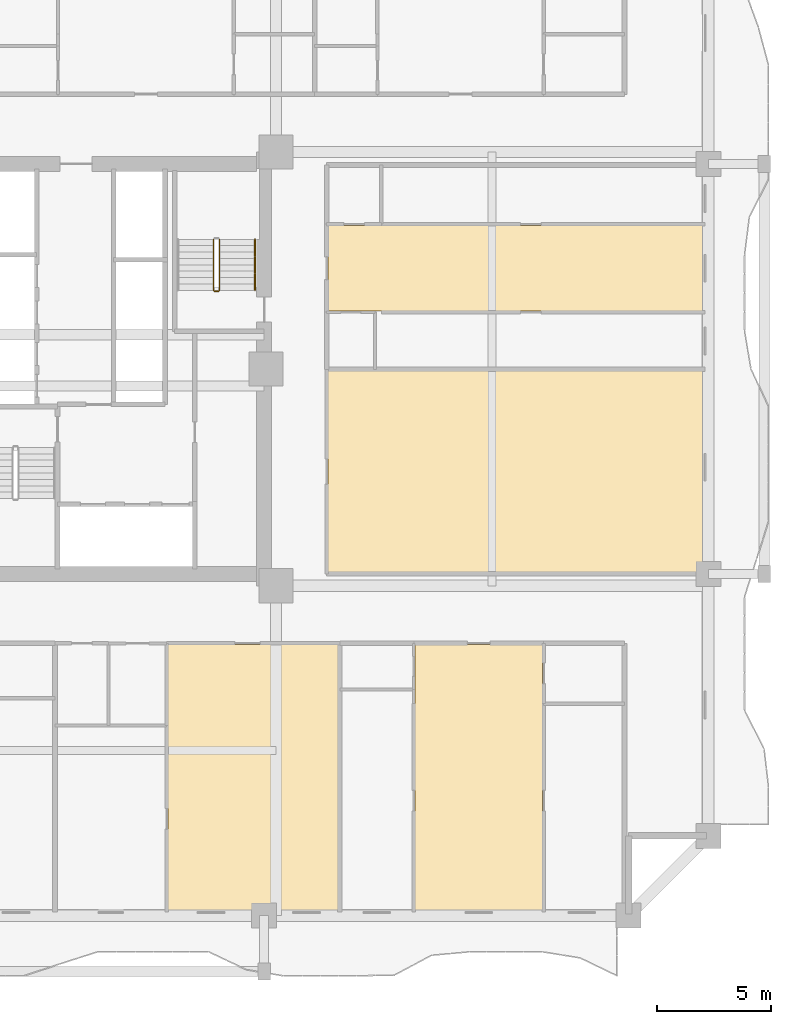
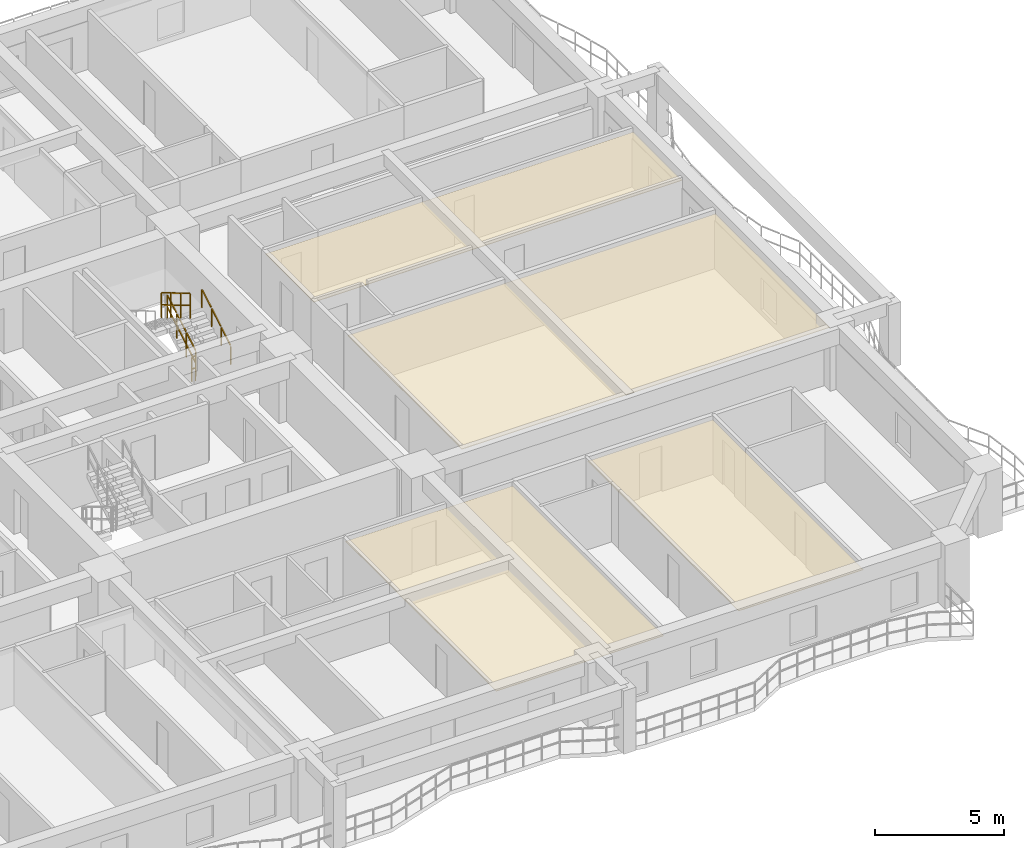
# One storey, part 13 of 15: 4 coverings, 4 railings.
"""IFC4 building model written with IfcOpenShell, lengths in metres."""

from ifc_helpers import new_model, si_unit, direction, frame, origin, origin_2d, place, context, subcontext, project, spatial, polyline, rectangle, outline, extrude, material, layer, layer_set, type_object, element, save


model = new_model("IFC4")

# Units and contexts
model_context = context("Model", 3, precision=1e-05, world=origin(), true_north=direction((0.0, 1.0)))
body_context = subcontext(model_context, "Body", "Model", "MODEL_VIEW")
ifc_project = project(units=[si_unit("LENGTHUNIT", "METRE"), si_unit("AREAUNIT", "SQUARE_METRE"), si_unit("VOLUMEUNIT", "CUBIC_METRE"), si_unit("PLANEANGLEUNIT", "RADIAN"), si_unit("MASSUNIT", "GRAM", prefix="KILO")], contexts=[model_context])

# Site, building, storey
site_placement = place(None, origin())
site = spatial("IfcSite", under=ifc_project, at=site_placement, CompositionType="ELEMENT")
building_placement = place(site_placement, origin())
building = spatial("IfcBuilding", under=site, at=building_placement, Name="Saelheon Loggia Tower", CompositionType="ELEMENT")
storey_placement = place(building_placement, frame((0.0, 0.0, 46.39990234375)))
storey = spatial("IfcBuildingStorey", under=building, at=storey_placement, Name="L14", CompositionType="ELEMENT", Elevation=46.39990234375)

# Coverings
ifc_material_1 = material(Name="Mineral-Fibre Acoustic Ceiling Board", Category="gypsum")
ifc_layer = layer(ifc_material_1, 0.02490234375)
ifc_layer_set = layer_set([ifc_layer], Name="Mineral-Fibre Acoustic Ceiling Board")
covering_type = type_object("IfcCoveringType", Name="Cov_Ceiling_Acoustic", PredefinedType="CEILING", material=ifc_layer_set)
covering_1_placement = place(storey_placement, frame((0.0, 0.0, 2.53515625)))
element("IfcCovering", 1, at=covering_1_placement, inside=storey, type_object=covering_type, Name="L14 Acoustic Suspended Ceiling", PredefinedType="CEILING", context=body_context, shape_type="SweptSolid", body=[
    extrude(outline(polyline([(40.271484375, 3.199951171875), (47.770751953125, 3.199951171875), (47.770751953125, 14.89990234375), (40.271484375, 14.89990234375), (40.271484375, 3.199951171875)])), origin(), (0.0, 0.0, 1.0), 0.02490234375),
])
covering_2_placement = place(storey_placement, frame((0.0, 0.0, 2.53515625)))
element("IfcCovering", 2, at=covering_2_placement, inside=storey, type_object=covering_type, Name="L14 Acoustic Suspended Ceiling", PredefinedType="CEILING", context=body_context, shape_type="SweptSolid", body=[
    extrude(outline(polyline([(51.12060546875, 3.199951171875), (56.721923828125, 3.199951171875), (56.721923828125, 14.89990234375), (51.12060546875, 14.89990234375), (51.12060546875, 3.199951171875)])), origin(), (0.0, 0.0, 1.0), 0.02490234375),
])
covering_3_placement = place(storey_placement, frame((0.0, 0.0, 2.53515625)))
element("IfcCovering", 3, at=covering_3_placement, inside=storey, type_object=covering_type, Name="L14 Acoustic Suspended Ceiling", PredefinedType="CEILING", context=body_context, shape_type="SweptSolid", body=[
    extrude(outline(polyline([(47.300048828125, 18.050048828125), (63.800048828125, 18.050048828125), (63.800048828125, 26.925048828125), (47.300048828125, 26.925048828125), (47.300048828125, 18.050048828125)])), origin(), (0.0, 0.0, 1.0), 0.02490234375),
])
covering_4_placement = place(storey_placement, frame((0.0, 0.0, 2.53515625)))
element("IfcCovering", 4, at=covering_4_placement, inside=storey, type_object=covering_type, Name="L14 Acoustic Suspended Ceiling", PredefinedType="CEILING", context=body_context, shape_type="SweptSolid", body=[
    extrude(outline(polyline([(47.300048828125, 29.5380859375), (63.800048828125, 29.5380859375), (63.800048828125, 33.300048828125), (47.300048828125, 33.300048828125), (47.300048828125, 29.5380859375)])), origin(), (0.0, 0.0, 1.0), 0.02490234375),
])

# Railings
ifc_material_2 = material(Name="Galvanised Steel S275 Stairwell Guardrail", Category="steel")
railing_type_1 = type_object("IfcRailingType", Name="Guard_StairWell_RL_STG", PredefinedType="GUARDRAIL", material=ifc_material_2)
railing_1_placement = place(storey_placement, frame((42.5400390625, 30.449951171875, 0.166748046875)))
element("IfcRailing", 5, at=railing_1_placement, inside=storey, type_object=railing_type_1, Name="L14 ST2 stair guard 1", PredefinedType="GUARDRAIL", context=body_context, shape_type="SweptSolid", body=[
    extrude(rectangle(XDim=0.048095703125, YDim=0.048095703125, at=origin_2d()), frame((0.0, 0.028564453125, 1.19287109375), z_axis=(0.0, 0.859305625298, 0.511462454469), x_axis=(-1.0, 0.0, 0.0)), (0.0, 0.0, 1.0), 0.802490234375),
    extrude(rectangle(XDim=0.048095703125, YDim=0.048095703125, at=origin_2d()), frame((0.0, 0.028564453125, 0.616943359375), z_axis=(0.0, 0.859305625298, 0.511462454469), x_axis=(-1.0, 0.0, 0.0)), (0.0, 0.0, 1.0), 0.802490234375),
    extrude(rectangle(XDim=0.048095703125, YDim=0.048095703125, at=origin_2d()), frame((0.0, 0.775146484375, 1.63720703125), z_axis=(0.0, 0.859305625298, 0.511462454469), x_axis=(-1.0, 0.0, 0.0)), (0.0, 0.0, 1.0), 0.802490234375),
    extrude(rectangle(XDim=0.048095703125, YDim=0.048095703125, at=origin_2d()), frame((0.0, 0.775146484375, 1.061279296875), z_axis=(0.0, 0.859305625298, 0.511462454469), x_axis=(-1.0, 0.0, 0.0)), (0.0, 0.0, 1.0), 0.802490234375),
    extrude(rectangle(XDim=0.048095703125, YDim=0.048095703125, at=origin_2d()), frame((0.0, 1.52197265625, 2.081787109375), z_axis=(0.0, 0.859305625298, 0.511462454469), x_axis=(-1.0, 0.0, 0.0)), (0.0, 0.0, 1.0), 0.802490234375),
    extrude(rectangle(XDim=0.048095703125, YDim=0.048095703125, at=origin_2d()), frame((0.0, 1.52197265625, 1.505859375), z_axis=(0.0, 0.859305625298, 0.511462454469), x_axis=(-1.0, 0.0, 0.0)), (0.0, 0.0, 1.0), 0.802490234375),
    extrude(rectangle(XDim=0.0419921875, YDim=0.0419921875, at=origin_2d()), origin(), (0.0, 0.0, 1.0), 1.14794921875),
    extrude(rectangle(XDim=0.0419921875, YDim=0.0419921875, at=origin_2d()), frame((0.0, 0.74658203125, 0.4443359375)), (0.0, 0.0, 1.0), 1.14794921875),
    extrude(rectangle(XDim=0.0419921875, YDim=0.0419921875, at=origin_2d()), frame((0.0, 1.493408203125, 0.888916015625)), (0.0, 0.0, 1.0), 1.14794921875),
    extrude(rectangle(XDim=0.0419921875, YDim=0.0419921875, at=origin_2d()), frame((0.0, 2.239990234375, 1.333251953125)), (0.0, 0.0, 1.0), 1.14794921875),
])
railing_2_placement = place(storey_placement, frame((42.280029296875, 32.68994140625, 1.666748046875)))
element("IfcRailing", 6, at=railing_2_placement, inside=storey, type_object=railing_type_1, Name="L14 ST2 stair guard 3", PredefinedType="GUARDRAIL", context=body_context, shape_type="SweptSolid", body=[
    extrude(rectangle(XDim=0.048095703125, YDim=0.048095703125, at=origin_2d()), frame((0.0, -0.028564453125, 1.19287109375), z_axis=(0.0, -0.859305625298, 0.511462454469), x_axis=(1.0, 0.0, 0.0)), (0.0, 0.0, 1.0), 0.802490234375),
    extrude(rectangle(XDim=0.048095703125, YDim=0.048095703125, at=origin_2d()), frame((0.0, -0.028564453125, 0.616943359375), z_axis=(0.0, -0.859305625298, 0.511462454469), x_axis=(1.0, 0.0, 0.0)), (0.0, 0.0, 1.0), 0.802490234375),
    extrude(rectangle(XDim=0.048095703125, YDim=0.048095703125, at=origin_2d()), frame((0.0, -0.775146484375, 1.63720703125), z_axis=(0.0, -0.859305625298, 0.511462454469), x_axis=(1.0, 0.0, 0.0)), (0.0, 0.0, 1.0), 0.802490234375),
    extrude(rectangle(XDim=0.048095703125, YDim=0.048095703125, at=origin_2d()), frame((0.0, -0.775146484375, 1.061279296875), z_axis=(0.0, -0.859305625298, 0.511462454469), x_axis=(1.0, 0.0, 0.0)), (0.0, 0.0, 1.0), 0.802490234375),
    extrude(rectangle(XDim=0.048095703125, YDim=0.048095703125, at=origin_2d()), frame((0.0, -1.52197265625, 2.081787109375), z_axis=(0.0, -0.859305625298, 0.511462454469), x_axis=(1.0, 0.0, 0.0)), (0.0, 0.0, 1.0), 0.802490234375),
    extrude(rectangle(XDim=0.048095703125, YDim=0.048095703125, at=origin_2d()), frame((0.0, -1.52197265625, 1.505859375), z_axis=(0.0, -0.859305625298, 0.511462454469), x_axis=(1.0, 0.0, 0.0)), (0.0, 0.0, 1.0), 0.802490234375),
    extrude(rectangle(XDim=0.0419921875, YDim=0.0419921875, at=origin_2d()), origin(), (0.0, 0.0, 1.0), 1.14794921875),
    extrude(rectangle(XDim=0.0419921875, YDim=0.0419921875, at=origin_2d()), frame((0.0, -0.74658203125, 0.4443359375)), (0.0, 0.0, 1.0), 1.14794921875),
    extrude(rectangle(XDim=0.0419921875, YDim=0.0419921875, at=origin_2d()), frame((0.0, -1.493408203125, 0.888916015625)), (0.0, 0.0, 1.0), 1.14794921875),
    extrude(rectangle(XDim=0.0419921875, YDim=0.0419921875, at=origin_2d()), frame((0.0, -2.239990234375, 1.333251953125)), (0.0, 0.0, 1.0), 1.14794921875),
])
railing_3_placement = place(storey_placement, frame((42.489990234375, 30.39990234375, 0.0)))
element("IfcRailing", 7, at=railing_3_placement, inside=storey, type_object=railing_type_1, Name="L14 ST2 stair guard 4", PredefinedType="GUARDRAIL", context=body_context, shape_type="SweptSolid", body=[
    extrude(rectangle(XDim=0.048095703125, YDim=0.048095703125, at=origin_2d()), frame((-0.033203125, 0.0, 1.17578125), z_axis=(-1.0, 0.0, 0.0), x_axis=(0.0, -1.0, 0.0)), (0.0, 0.0, 1.0), 0.093505859375),
    extrude(rectangle(XDim=0.048095703125, YDim=0.048095703125, at=origin_2d()), frame((-0.033203125, 0.0, 0.60009765625), z_axis=(-1.0, 0.0, 0.0), x_axis=(0.0, -1.0, 0.0)), (0.0, 0.0, 1.0), 0.093505859375),
    extrude(rectangle(XDim=0.0419921875, YDim=0.0419921875, at=origin_2d()), origin(), (0.0, 0.0, 1.0), 1.14794921875),
    extrude(rectangle(XDim=0.0419921875, YDim=0.0419921875, at=origin_2d()), frame((-0.159912109375, 0.0, 0.0)), (0.0, 0.0, 1.0), 1.14794921875),
])
ifc_material_3 = material(Name="Stainless Steel 304 Tubular Handrail", Category="steel")
railing_type_2 = type_object("IfcRailingType", Name="Handrail_Stair_RL_HR1", PredefinedType="HANDRAIL", material=ifc_material_3)
railing_4_placement = place(storey_placement, frame((44.10009765625, 30.449951171875, 0.166748046875)))
element("IfcRailing", 8, at=railing_4_placement, inside=storey, type_object=railing_type_2, Name="L14 ST2 stair handrail 1", PredefinedType="HANDRAIL", context=body_context, shape_type="SweptSolid", body=[
    extrude(rectangle(XDim=0.048095703125, YDim=0.048095703125, at=origin_2d()), frame((0.0, 0.028564453125, 0.892822265625), z_axis=(0.0, 0.859305625298, 0.511462454469), x_axis=(-1.0, 0.0, 0.0)), (0.0, 0.0, 1.0), 0.802490234375),
    extrude(rectangle(XDim=0.048095703125, YDim=0.048095703125, at=origin_2d()), frame((0.0, 0.775146484375, 1.337158203125), z_axis=(0.0, 0.859305625298, 0.511462454469), x_axis=(-1.0, 0.0, 0.0)), (0.0, 0.0, 1.0), 0.802490234375),
    extrude(rectangle(XDim=0.048095703125, YDim=0.048095703125, at=origin_2d()), frame((0.0, 1.52197265625, 1.78173828125), z_axis=(0.0, 0.859305625298, 0.511462454469), x_axis=(-1.0, 0.0, 0.0)), (0.0, 0.0, 1.0), 0.802490234375),
    extrude(rectangle(XDim=0.0419921875, YDim=0.0419921875, at=origin_2d()), origin(), (0.0, 0.0, 1.0), 0.847900390625),
    extrude(rectangle(XDim=0.0419921875, YDim=0.0419921875, at=origin_2d()), frame((0.0, 0.74658203125, 0.4443359375)), (0.0, 0.0, 1.0), 0.847900390625),
    extrude(rectangle(XDim=0.0419921875, YDim=0.0419921875, at=origin_2d()), frame((0.0, 1.493408203125, 0.888916015625)), (0.0, 0.0, 1.0), 0.847900390625),
    extrude(rectangle(XDim=0.0419921875, YDim=0.0419921875, at=origin_2d()), frame((0.0, 2.239990234375, 1.333251953125)), (0.0, 0.0, 1.0), 0.847900390625),
])

save(model, "model.ifc")
